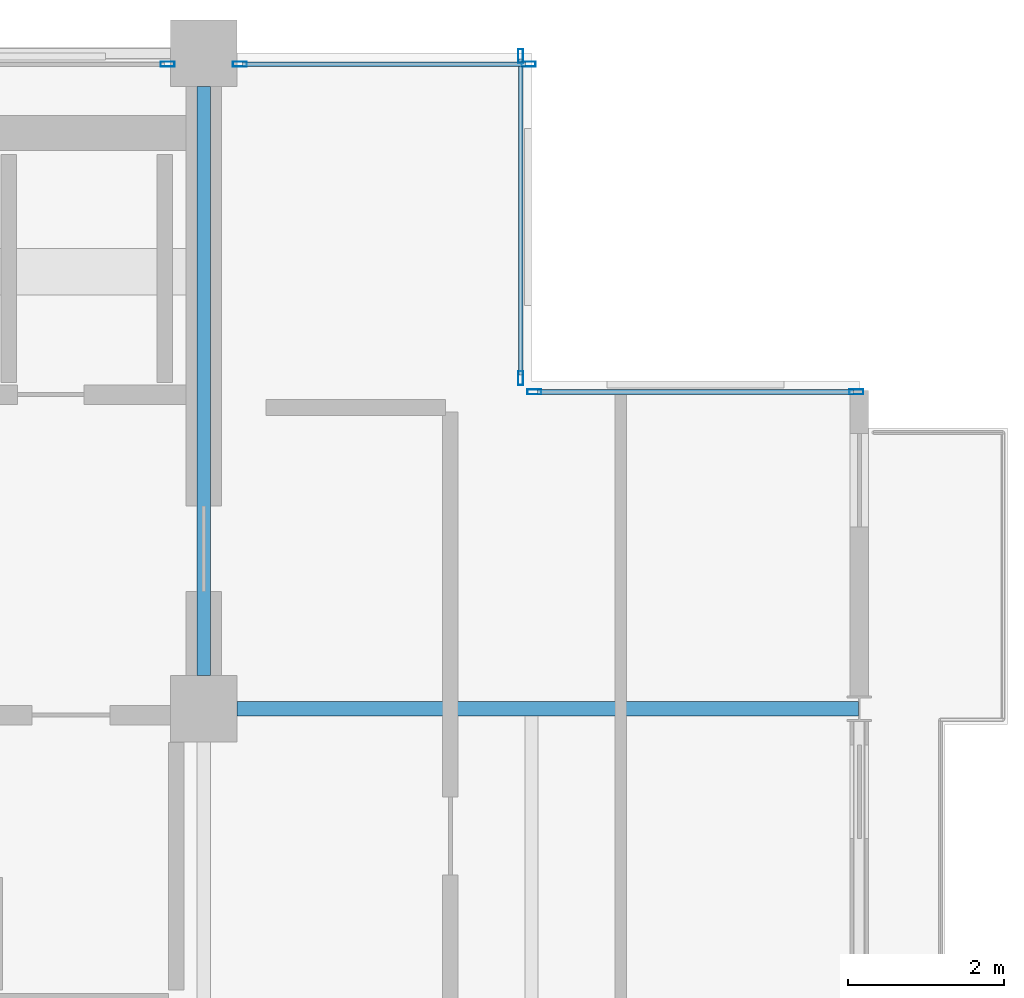
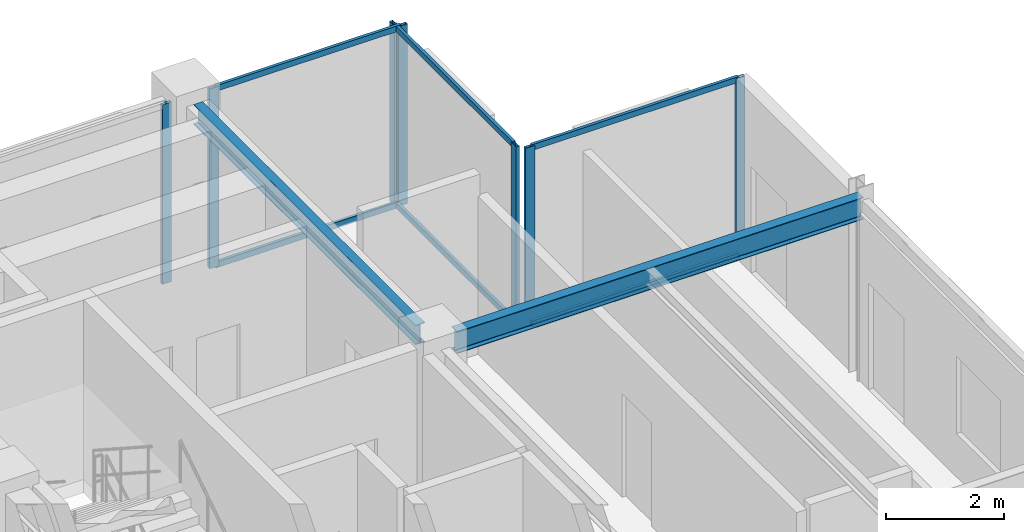
# One storey, part 18 of 24: 13 members, 2 beams, 4 elements without a shape of their own.
"""IFC4 building model written with IfcOpenShell, lengths in metres."""

from ifc_helpers import new_model, si_unit, direction, frame, origin, origin_2d, place, context, subcontext, project, spatial, hollow_rectangle, i_section, extrude, material, layer, layer_set, material_profile, profile_set, type_object, element, aggregate, save


model = new_model("IFC4")

# Units and contexts
model_context = context("Model", 3, precision=1e-05, world=origin(), true_north=direction((0.0, 1.0)))
body_context = subcontext(model_context, "Body", "Model", "MODEL_VIEW")
ifc_project = project(units=[si_unit("LENGTHUNIT", "METRE"), si_unit("AREAUNIT", "SQUARE_METRE"), si_unit("VOLUMEUNIT", "CUBIC_METRE"), si_unit("PLANEANGLEUNIT", "RADIAN"), si_unit("MASSUNIT", "GRAM", prefix="KILO")], contexts=[model_context])

# Site, building, storey
site_placement = place(None, origin())
site = spatial("IfcSite", under=ifc_project, at=site_placement, CompositionType="ELEMENT")
building_placement = place(site_placement, origin())
building = spatial("IfcBuilding", under=site, at=building_placement, Name="Nerrivon Quay Data Exchange", CompositionType="ELEMENT")
storey_placement = place(building_placement, frame((0.0, 0.0, 298.199951171875)))
storey = spatial("IfcBuildingStorey", under=building, at=storey_placement, Name="L71", CompositionType="ELEMENT", Elevation=298.199951171875)

# Beams
ifc_material_1 = material(Name="Steel Grade 350", Category="steel")
ifc_material_profile_1 = material_profile(ifc_material_1, i_section(OverallWidth=0.18994140625, OverallDepth=0.4541015625, WebThickness=0.008544921875, FlangeThickness=0.0126953125, FilletRadius=0.011474609375, at=origin_2d()), Name="460UB67.1")
ifc_profile_set_1 = profile_set([ifc_material_profile_1], Name="Steel Grade 350")
beam_type_1 = type_object("IfcBeamType", Name="BM-G6-460UB67", PredefinedType="BEAM", material=ifc_profile_set_1)
beam_1_placement = place(storey_placement, frame((17.22509765625, 33.60009765625, 3.498046875), z_axis=(1.0, 0.0, 0.0), x_axis=(0.0, 1.0, 0.0)))
element("IfcBeam", 1, at=beam_1_placement, inside=storey, type_object=beam_type_1, Name="L71 EW Girder Y=33.6 (16.8..25.2)", PredefinedType="BEAM", context=body_context, shape_type="SweptSolid", body=[
    extrude(i_section(OverallWidth=0.18994140625, OverallDepth=0.4541015625, WebThickness=0.008544921875, FlangeThickness=0.0126953125, FilletRadius=0.011474609375, at=origin_2d()), origin(), (0.0, 0.0, 1.0), 7.967041015625),
])
ifc_material_profile_2 = material_profile(ifc_material_1, i_section(OverallWidth=0.177978515625, OverallDepth=0.406005859375, WebThickness=0.0078125, FlangeThickness=0.0126953125, FilletRadius=0.011474609375, at=origin_2d()), Name="410UB59.7")
ifc_profile_set_2 = profile_set([ifc_material_profile_2], Name="Steel Grade 350")
beam_type_2 = type_object("IfcBeamType", Name="BM-J1-410UB60", PredefinedType="JOIST", material=ifc_profile_set_2)
beam_2_placement = place(storey_placement, frame((16.800048828125, 34.02490234375, 3.52197265625), z_axis=(0.0, 1.0, 0.0), x_axis=(-1.0, 0.0, 0.0)))
element("IfcBeam", 2, at=beam_2_placement, inside=storey, type_object=beam_type_2, Name="L71 NS Girder X=16.8 (33.6..42.0)", PredefinedType="JOIST", context=body_context, shape_type="SweptSolid", body=[
    extrude(i_section(OverallWidth=0.177978515625, OverallDepth=0.406005859375, WebThickness=0.0078125, FlangeThickness=0.0126953125, FilletRadius=0.011474609375, at=origin_2d()), origin(), (0.0, 0.0, 1.0), 7.550048828125),
])

# Curtain wall, member
ifc_material_2 = material(Name="Anodised aluminium 6063-T6", Category="aluminium")
ifc_layer = layer(ifc_material_2, 0.195068359375)
ifc_layer_set = layer_set([ifc_layer], Name="Anodised aluminium 6063-T6")
curtain_wall_type = type_object("IfcCurtainWallType", Name="CW-SYS-06", PredefinedType="NOTDEFINED", material=ifc_layer_set)
curtain_wall_1_placement = place(storey_placement, origin())
curtain_wall_1 = element("IfcCurtainWall", 3, at=curtain_wall_1_placement, inside=storey, type_object=curtain_wall_type, Name="L71 Unitised Curtain Wall 15", PredefinedType="NOTDEFINED")
ifc_material_profile_3 = material_profile(ifc_material_2, hollow_rectangle(XDim=0.06494140625, YDim=0.179931640625, WallThickness=0.00341796875, at=origin_2d()), Name="ALU-MULL-180x65")
ifc_profile_set_3 = profile_set([ifc_material_profile_3], Name="Anodised aluminium 6063-T6")
member_type_1 = type_object("IfcMemberType", Name="CWM-180x65", PredefinedType="MULLION", material=ifc_profile_set_3)
member_1_placement = place(storey_placement, frame((16.33740234375, 41.860107421875, 0.0), z_axis=(0.0, 0.0, 1.0), x_axis=(0.0, 1.0, 0.0)))
member_1 = element("IfcMember", 4, at=member_1_placement, type_object=member_type_1, Name="CW06 mullion 2", PredefinedType="MULLION", context=body_context, shape_type="SweptSolid", body=[
    extrude(hollow_rectangle(XDim=0.06494140625, YDim=0.179931640625, WallThickness=0.00341796875, at=origin_2d()), origin(), (0.0, 0.0, 1.0), 3.72509765625),
])
aggregate(curtain_wall_1, [member_1])

# Curtain wall, members
curtain_wall_2_placement = place(storey_placement, origin())
curtain_wall_2 = element("IfcCurtainWall", 5, at=curtain_wall_2_placement, inside=storey, type_object=curtain_wall_type, Name="L71 Unitised Curtain Wall 16", PredefinedType="NOTDEFINED")
member_2_placement = place(storey_placement, frame((17.262451171875, 41.860107421875, 0.0), z_axis=(0.0, 0.0, 1.0), x_axis=(0.0, 1.0, 0.0)))
member_2 = element("IfcMember", 6, at=member_2_placement, type_object=member_type_1, Name="CW06 mullion 1", PredefinedType="MULLION", context=body_context, shape_type="SweptSolid", body=[
    extrude(hollow_rectangle(XDim=0.06494140625, YDim=0.179931640625, WallThickness=0.00341796875, at=origin_2d()), origin(), (0.0, 0.0, 1.0), 3.72509765625),
])
member_3_placement = place(storey_placement, frame((20.96240234375, 41.860107421875, 0.0), z_axis=(0.0, 0.0, 1.0), x_axis=(0.0, 1.0, 0.0)))
member_3 = element("IfcMember", 7, at=member_3_placement, type_object=member_type_1, Name="CW06 mullion 2", PredefinedType="MULLION", context=body_context, shape_type="SweptSolid", body=[
    extrude(hollow_rectangle(XDim=0.06494140625, YDim=0.179931640625, WallThickness=0.00341796875, at=origin_2d()), origin(), (0.0, 0.0, 1.0), 3.72509765625),
])

curtain_wall_3_placement = place(storey_placement, origin())
curtain_wall_3 = element("IfcCurtainWall", 8, at=curtain_wall_3_placement, inside=storey, type_object=curtain_wall_type, Name="L71 Unitised Curtain Wall 17", PredefinedType="NOTDEFINED")
member_4_placement = place(storey_placement, frame((20.860107421875, 41.96240234375, 0.0), z_axis=(0.0, 0.0, 1.0), x_axis=(1.0, 0.0, 0.0)))
member_4 = element("IfcMember", 9, at=member_4_placement, type_object=member_type_1, Name="CW06 mullion 1", PredefinedType="MULLION", context=body_context, shape_type="SweptSolid", body=[
    extrude(hollow_rectangle(XDim=0.06494140625, YDim=0.179931640625, WallThickness=0.00341796875, at=origin_2d()), origin(), (0.0, 0.0, 1.0), 3.72509765625),
])
member_5_placement = place(storey_placement, frame((20.860107421875, 37.83740234375, 0.0), z_axis=(0.0, 0.0, 1.0), x_axis=(1.0, 0.0, 0.0)))
member_5 = element("IfcMember", 10, at=member_5_placement, type_object=member_type_1, Name="CW06 mullion 2", PredefinedType="MULLION", context=body_context, shape_type="SweptSolid", body=[
    extrude(hollow_rectangle(XDim=0.06494140625, YDim=0.179931640625, WallThickness=0.00341796875, at=origin_2d()), origin(), (0.0, 0.0, 1.0), 3.72509765625),
])

curtain_wall_4_placement = place(storey_placement, origin())
curtain_wall_4 = element("IfcCurtainWall", 11, at=curtain_wall_4_placement, inside=storey, type_object=curtain_wall_type, Name="L71 Unitised Curtain Wall 18", PredefinedType="NOTDEFINED")
member_6_placement = place(storey_placement, frame((21.03759765625, 37.659912109375, 0.0), z_axis=(0.0, 0.0, 1.0), x_axis=(0.0, 1.0, 0.0)))
member_6 = element("IfcMember", 12, at=member_6_placement, type_object=member_type_1, Name="CW06 mullion 1", PredefinedType="MULLION", context=body_context, shape_type="SweptSolid", body=[
    extrude(hollow_rectangle(XDim=0.06494140625, YDim=0.179931640625, WallThickness=0.00341796875, at=origin_2d()), origin(), (0.0, 0.0, 1.0), 3.72509765625),
])
member_7_placement = place(storey_placement, frame((25.16259765625, 37.659912109375, 0.0), z_axis=(0.0, 0.0, 1.0), x_axis=(0.0, 1.0, 0.0)))
member_7 = element("IfcMember", 13, at=member_7_placement, type_object=member_type_1, Name="CW06 mullion 2", PredefinedType="MULLION", context=body_context, shape_type="SweptSolid", body=[
    extrude(hollow_rectangle(XDim=0.06494140625, YDim=0.179931640625, WallThickness=0.00341796875, at=origin_2d()), origin(), (0.0, 0.0, 1.0), 3.72509765625),
])

# Member
ifc_material_profile_4 = material_profile(ifc_material_2, hollow_rectangle(XDim=0.06005859375, YDim=0.1201171875, WallThickness=0.003173828125, at=origin_2d()), Name="ALU-TRAN-120x60")
ifc_profile_set_4 = profile_set([ifc_material_profile_4], Name="Anodised aluminium 6063-T6")
member_type_2 = type_object("IfcMemberType", Name="CWT-120x60", PredefinedType="USERDEFINED", material=ifc_profile_set_4)
member_8_placement = place(storey_placement, frame((17.300048828125, 41.860107421875, 0.032470703125), z_axis=(1.0, 0.0, 0.0), x_axis=(0.0, 1.0, 0.0)))
member_8 = element("IfcMember", 14, at=member_8_placement, type_object=member_type_2, Name="CW06 transom 1.1", ObjectType="TRANSOM", PredefinedType="USERDEFINED", context=body_context, shape_type="SweptSolid", body=[
    extrude(hollow_rectangle(XDim=0.06005859375, YDim=0.1201171875, WallThickness=0.003173828125, at=origin_2d()), origin(), (0.0, 0.0, 1.0), 3.625),
])

member_9_placement = place(storey_placement, frame((17.300048828125, 41.860107421875, 3.692626953125), z_axis=(1.0, 0.0, 0.0), x_axis=(0.0, 1.0, 0.0)))
member_9 = element("IfcMember", 15, at=member_9_placement, type_object=member_type_2, Name="CW06 transom 1.2", ObjectType="TRANSOM", PredefinedType="USERDEFINED", context=body_context, shape_type="SweptSolid", body=[
    extrude(hollow_rectangle(XDim=0.06005859375, YDim=0.1201171875, WallThickness=0.003173828125, at=origin_2d()), origin(), (0.0, 0.0, 1.0), 3.625),
])

aggregate(curtain_wall_2, [member_2, member_3, member_8, member_9])

member_10_placement = place(storey_placement, frame((20.860107421875, 41.925048828125, 0.032470703125), z_axis=(0.0, -1.0, 0.0), x_axis=(1.0, 0.0, 0.0)))
member_10 = element("IfcMember", 16, at=member_10_placement, type_object=member_type_2, Name="CW06 transom 1.1", ObjectType="TRANSOM", PredefinedType="USERDEFINED", context=body_context, shape_type="SweptSolid", body=[
    extrude(hollow_rectangle(XDim=0.06005859375, YDim=0.1201171875, WallThickness=0.003173828125, at=origin_2d()), origin(), (0.0, 0.0, 1.0), 4.050048828125),
])

member_11_placement = place(storey_placement, frame((20.860107421875, 41.925048828125, 3.692626953125), z_axis=(0.0, -1.0, 0.0), x_axis=(1.0, 0.0, 0.0)))
member_11 = element("IfcMember", 17, at=member_11_placement, type_object=member_type_2, Name="CW06 transom 1.2", ObjectType="TRANSOM", PredefinedType="USERDEFINED", context=body_context, shape_type="SweptSolid", body=[
    extrude(hollow_rectangle(XDim=0.06005859375, YDim=0.1201171875, WallThickness=0.003173828125, at=origin_2d()), origin(), (0.0, 0.0, 1.0), 4.050048828125),
])

aggregate(curtain_wall_3, [member_4, member_5, member_10, member_11])

member_12_placement = place(storey_placement, frame((21.074951171875, 37.659912109375, 0.032470703125), z_axis=(1.0, 0.0, 0.0), x_axis=(0.0, 1.0, 0.0)))
member_12 = element("IfcMember", 18, at=member_12_placement, type_object=member_type_2, Name="CW06 transom 1.1", ObjectType="TRANSOM", PredefinedType="USERDEFINED", context=body_context, shape_type="SweptSolid", body=[
    extrude(hollow_rectangle(XDim=0.06005859375, YDim=0.1201171875, WallThickness=0.003173828125, at=origin_2d()), origin(), (0.0, 0.0, 1.0), 4.050048828125),
])

member_13_placement = place(storey_placement, frame((21.074951171875, 37.659912109375, 3.692626953125), z_axis=(1.0, 0.0, 0.0), x_axis=(0.0, 1.0, 0.0)))
member_13 = element("IfcMember", 19, at=member_13_placement, type_object=member_type_2, Name="CW06 transom 1.2", ObjectType="TRANSOM", PredefinedType="USERDEFINED", context=body_context, shape_type="SweptSolid", body=[
    extrude(hollow_rectangle(XDim=0.06005859375, YDim=0.1201171875, WallThickness=0.003173828125, at=origin_2d()), origin(), (0.0, 0.0, 1.0), 4.050048828125),
])

aggregate(curtain_wall_4, [member_6, member_7, member_12, member_13])

save(model, "model.ifc")
